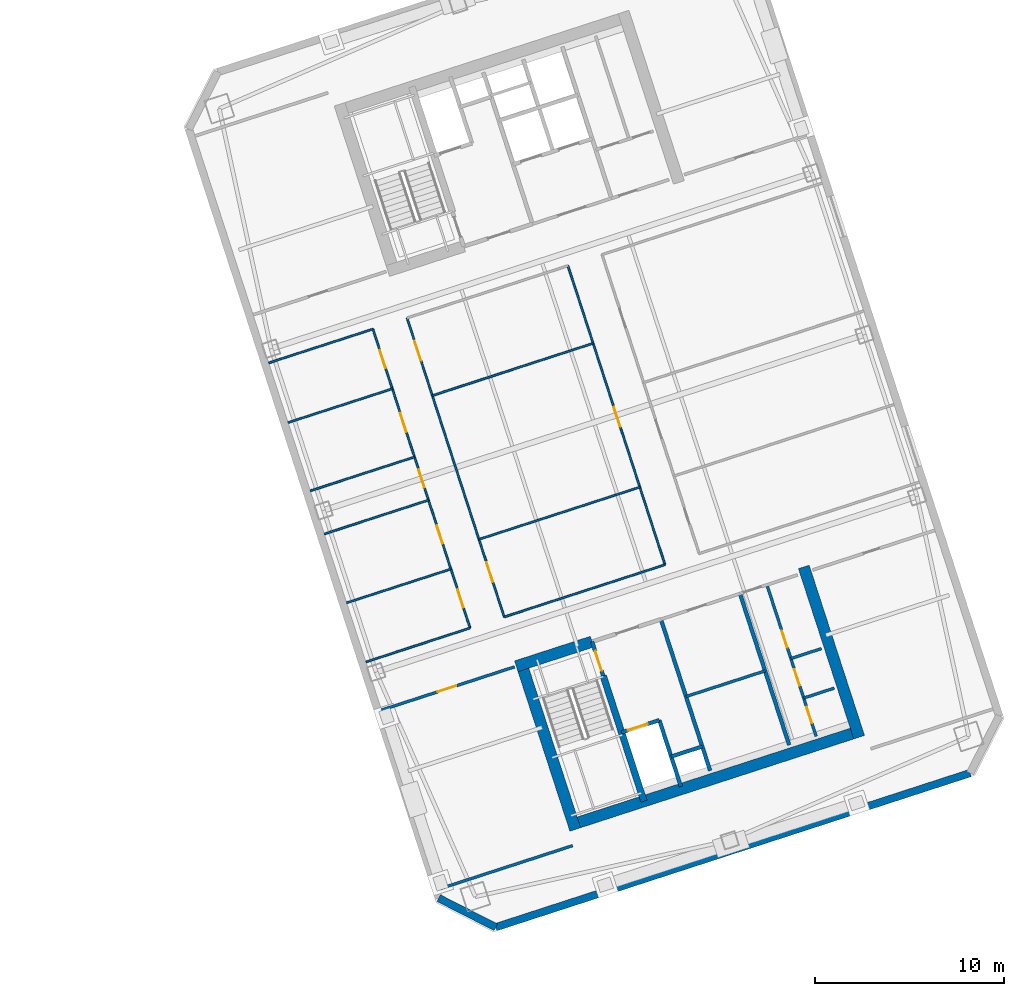
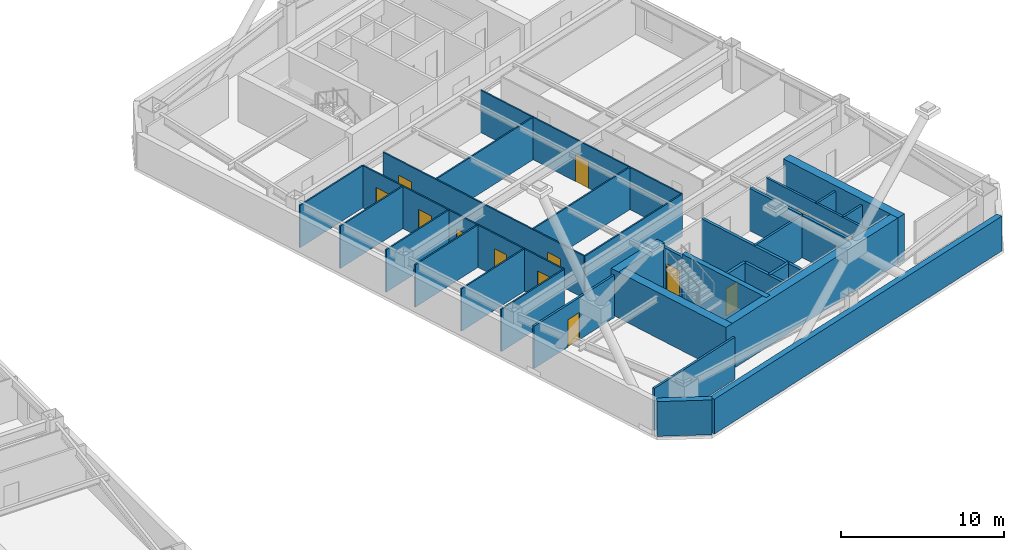
# One storey, part 9 of 14: 31 walls, 14 doors, 14 openings.
"""IFC4 building model written with IfcOpenShell, lengths in metres."""

from ifc_helpers import new_model, si_unit, direction, frame, frame_2d, origin, place, context, subcontext, project, spatial, rectangle, extrude, material, layer, layer_set, type_object, element, fill, save


model = new_model("IFC4")

# Units and contexts
model_context = context("Model", 3, precision=1e-05, world=origin(), true_north=direction((0.0, 1.0)))
body_context = subcontext(model_context, "Body", "Model", "MODEL_VIEW")
ifc_project = project(units=[si_unit("LENGTHUNIT", "METRE"), si_unit("AREAUNIT", "SQUARE_METRE"), si_unit("VOLUMEUNIT", "CUBIC_METRE"), si_unit("PLANEANGLEUNIT", "RADIAN"), si_unit("MASSUNIT", "GRAM", prefix="KILO")], contexts=[model_context])

# Site, building, storey
site_placement = place(None, origin())
site = spatial("IfcSite", under=ifc_project, at=site_placement, CompositionType="ELEMENT")
building_placement = place(site_placement, origin())
building = spatial("IfcBuilding", under=site, at=building_placement, Name="Qiaolan Cultural Towers", CompositionType="ELEMENT")
storey_placement = place(building_placement, frame((0.0, 0.0, 149.5)))
storey = spatial("IfcBuildingStorey", under=building, at=storey_placement, Name="L39", CompositionType="ELEMENT", Elevation=149.5)

# Walls
ifc_material_1 = material(Name="Concrete C50", Category="concrete")
ifc_layer_1 = layer(ifc_material_1, 0.35009765625)
ifc_layer_set_1 = layer_set([ifc_layer_1], Name="Concrete C50")
wall_type_1 = type_object("IfcWallType", Name="WL-CORE-350", PredefinedType="SHEAR", material=ifc_layer_set_1)
wall_1_placement = place(storey_placement, frame((90.486328125, 20.59423828125, 0.0), z_axis=(0.0, 0.0, 1.0), x_axis=(0.309020428229, -0.951055400562, 0.0)))
element("IfcWall", 1, at=wall_1_placement, inside=storey, type_object=wall_type_1, Name="L39 T2-CS Stair Core Dividing Web", PredefinedType="SHEAR", context=body_context, shape_type="SweptSolid", body=[
    extrude(rectangle(XDim=6.97998046875, YDim=0.35009765625, at=frame_2d((3.489990234375, 0.0))), origin(), (0.0, 0.0, 1.0), 3.449951171875),
])
ifc_material_2 = material(Name="Concrete C55", Category="concrete")
ifc_layer_2 = layer(ifc_material_2, 0.60009765625)
ifc_layer_set_2 = layer_set([ifc_layer_2], Name="Concrete C55")
wall_type_2 = type_object("IfcWallType", Name="WL-CORE-600", PredefinedType="SHEAR", material=ifc_layer_set_2)
wall_2_placement = place(storey_placement, frame((88.6298828125, 12.65185546875, 0.0), z_axis=(0.0, 0.0, 1.0), x_axis=(0.95105714907, 0.309015046886, 0.0)))
element("IfcWall", 2, at=wall_2_placement, inside=storey, type_object=wall_type_2, Name="L39 T2-CS Outer Core Shear Wall", PredefinedType="SHEAR", context=body_context, shape_type="SweptSolid", body=[
    extrude(rectangle(XDim=16.400146484375, YDim=0.60009765625, at=frame_2d((8.2001953125, 0.0))), origin(), (0.0, 0.0, 1.0), 3.449951171875),
])
wall_3_placement = place(storey_placement, frame((86.078369140625, 21.47509765625, 0.0), z_axis=(0.0, 0.0, 1.0), x_axis=(0.309017938678, -0.951056209472, 0.0)))
element("IfcWall", 3, at=wall_3_placement, inside=storey, type_object=wall_type_2, Name="L39 T2-CS West Core Shear Wall", PredefinedType="SHEAR", context=body_context, shape_type="SweptSolid", body=[
    extrude(rectangle(XDim=9.479736328125, YDim=0.60009765625, at=frame_2d((4.73974609375, 0.0))), origin(), (0.0, 0.0, 1.0), 3.449951171875),
])
wall_4_placement = place(storey_placement, frame((101.105224609375, 26.357666015625, 0.0), z_axis=(0.0, 0.0, 1.0), x_axis=(0.309010370028, -0.95105866865, 0.0)))
element("IfcWall", 4, at=wall_4_placement, inside=storey, type_object=wall_type_2, Name="L39 T2-CS East Core Shear Wall", PredefinedType="SHEAR", context=body_context, shape_type="SweptSolid", body=[
    extrude(rectangle(XDim=9.47998046875, YDim=0.60009765625, at=frame_2d((4.739990234375, 0.0))), origin(), (0.0, 0.0, 1.0), 3.449951171875),
])
wall_5_placement = place(storey_placement, frame((85.8857421875, 21.09716796875, 0.0), z_axis=(0.0, 0.0, 1.0), x_axis=(0.951068073652, 0.308981422225, 0.0)))
element("IfcWall", 5, at=wall_5_placement, inside=storey, type_object=wall_type_2, Name="L39 T2-CS Stair Front Shear Wall", PredefinedType="SHEAR", context=body_context, shape_type="SweptSolid", body=[
    extrude(rectangle(XDim=4.22021484375, YDim=0.60009765625, at=frame_2d((2.110107421875, 0.0))), origin(), (0.0, 0.0, 1.0), 3.449951171875),
])
ifc_material_3 = material(Name="Precast Concrete C50 Honed Stone Pier", Category="masonry")
ifc_layer_3 = layer(ifc_material_3, 0.39990234375)
ifc_layer_set_3 = layer_set([ifc_layer_3], Name="Precast Concrete C50 Honed Stone Pier")
wall_type_3 = type_object("IfcWallType", Name="WL-EXT-PIER-400", PredefinedType="SOLIDWALL", material=ifc_layer_set_3)
wall_6_placement = place(storey_placement, frame((109.908447265625, 15.44384765625, 0.0), z_axis=(0.0, 0.0, 1.0), x_axis=(-0.951057580055, -0.30901372044, 0.0)))
element("IfcWall", 6, at=wall_6_placement, inside=storey, type_object=wall_type_3, Name="L39 East Tower Precast Pier Facade Wall F7", PredefinedType="SOLIDWALL", context=body_context, shape_type="SweptSolid", body=[
    extrude(rectangle(XDim=26.39990234375, YDim=0.39990234375, at=frame_2d((13.199951171875, 0.0))), origin(), (0.0, 0.0, 1.0), 2.610107421875),
])
wall_7_placement = place(storey_placement, frame((84.800537109375, 7.285888671875, 0.0), z_axis=(0.0, 0.0, 1.0), x_axis=(-0.891020832027, 0.453962417932, 0.0)))
element("IfcWall", 7, at=wall_7_placement, inside=storey, type_object=wall_type_3, Name="L39 East Tower Precast Pier Facade Wall F8", PredefinedType="SOLIDWALL", context=body_context, shape_type="SweptSolid", body=[
    extrude(rectangle(XDim=3.39404296875, YDim=0.39990234375, at=frame_2d((1.697021484375, 0.0))), origin(), (0.0, 0.0, 1.0), 2.610107421875),
])

# Wall, opening, door
ifc_material_4 = material(Name="Concrete C35 Fire Wall", Category="concrete")
ifc_layer_4 = layer(ifc_material_4, 0.199951171875)
ifc_layer_set_4 = layer_set([ifc_layer_4], Name="Concrete C35 Fire Wall")
wall_type_4 = type_object("IfcWallType", Name="WL-FIRE-200", PredefinedType="PARTITIONING", material=ifc_layer_set_4)
wall_8_placement = place(storey_placement, frame((89.8994140625, 22.401123046875, 0.0), z_axis=(0.0, 0.0, 1.0), x_axis=(0.308932062672, -0.951084108086, 0.0)))
wall_8 = element("IfcWall", 8, at=wall_8_placement, inside=storey, type_object=wall_type_4, Name="L39 T2-CS Smokeproof Stair Entry Wall", PredefinedType="PARTITIONING", context=body_context, shape_type="SweptSolid", body=[
    extrude(rectangle(XDim=1.89990234375, YDim=0.199951171875, at=frame_2d((0.949951171875, 0.0))), origin(), (0.0, 0.0, 1.0), 3.175048828125),
])
opening_1_placement = place(wall_8_placement, frame((0.52001953125, 0.0, 0.0)))
opening_1 = element("IfcOpeningElement", 9, at=opening_1_placement, cuts=wall_8, Name="Opening FD-04", PredefinedType="OPENING", context=body_context, shape_type="SweptSolid", body=[
    extrude(rectangle(XDim=1.10009765625, YDim=2.050048828125, at=frame_2d((0.550048828125, 1.02490234375))), frame((0.0, 0.10986328125, 0.0), z_axis=(0.0, -1.0, 0.0), x_axis=(1.0, 0.0, 0.0)), (0.0, 0.0, 1.0), 0.219970703125),
])
ifc_material_5 = material(Name="Galvanized Steel Command Fire Door", Category="steel")
door_type_1 = type_object("IfcDoorType", Name="DR-FD90-1100", OperationType="NOTDEFINED", PredefinedType="DOOR", material=ifc_material_5)
door_1_placement = place(opening_1_placement, origin())
door_1 = element("IfcDoor", 10, at=door_1_placement, inside=storey, type_object=door_type_1, Name="L39 ST-E1 Smokeproof Stair Fire Door", OperationType="SINGLE_SWING_LEFT", OverallHeight=2.050048828125, OverallWidth=1.10009765625, PredefinedType="DOOR", context=body_context, shape_type="SweptSolid", body=[
    extrude(rectangle(XDim=1.10009765625, YDim=2.050048828125, at=frame_2d((0.550048828125, 1.02490234375))), frame((0.0, 0.02490234375, 0.0), z_axis=(0.0, -1.0, 0.0), x_axis=(1.0, 0.0, 0.0)), (0.0, 0.0, 1.0), 0.050048828125),
])
fill(opening_1, door_1)

# Wall
wall_9_placement = place(storey_placement, frame((93.541748046875, 23.584716796875, 0.0), z_axis=(0.0, 0.0, 1.0), x_axis=(0.309042196757, -0.951048327176, 0.0)))
element("IfcWall", 11, at=wall_9_placement, inside=storey, type_object=wall_type_4, Name="L39 T2-CS Firefighting Zone Wall", PredefinedType="PARTITIONING", context=body_context, shape_type="SweptSolid", body=[
    extrude(rectangle(XDim=8.429931640625, YDim=0.199951171875, at=frame_2d((4.21484375, 0.0))), origin(), (0.0, 0.0, 1.0), 3.175048828125),
])

# Wall, opening, door
wall_10_placement = place(storey_placement, frame((91.459716796875, 17.598388671875, 0.0), z_axis=(0.0, 0.0, 1.0), x_axis=(0.951062257173, 0.308999325213, 0.0)))
wall_10 = element("IfcWall", 12, at=wall_10_placement, inside=storey, type_object=wall_type_4, Name="L39 T2-CS Firefighting Shaft Front Wall", PredefinedType="PARTITIONING", context=body_context, shape_type="SweptSolid", body=[
    extrude(rectangle(XDim=2.10009765625, YDim=0.199951171875, at=frame_2d((1.050048828125, 0.0))), origin(), (0.0, 0.0, 1.0), 3.175048828125),
])
opening_2_placement = place(wall_10_placement, frame((0.35009765625, 0.0, 0.0)))
opening_2 = element("IfcOpeningElement", 13, at=opening_2_placement, cuts=wall_10, Name="Opening LD-01", PredefinedType="OPENING", context=body_context, shape_type="SweptSolid", body=[
    extrude(rectangle(XDim=1.10009765625, YDim=2.050048828125, at=frame_2d((0.550048828125, 1.02490234375))), frame((0.0, 0.10986328125, 0.0), z_axis=(0.0, -1.0, 0.0), x_axis=(1.0, 0.0, 0.0)), (0.0, 0.0, 1.0), 0.219970703125),
])
ifc_material_6 = material(Name="Brushed Stainless Steel S30408 Centre-Parting Lift Landing Door", Category="steel")
door_type_2 = type_object("IfcDoorType", Name="DR-LIFT-1100", OperationType="NOTDEFINED", PredefinedType="DOOR", material=ifc_material_6)
door_2_placement = place(opening_2_placement, origin())
door_2 = element("IfcDoor", 14, at=door_2_placement, inside=storey, type_object=door_type_2, Name="L39 FFL-E1 Firefighting Lift Landing Door", OperationType="DOUBLE_DOOR_SLIDING", OverallHeight=2.050048828125, OverallWidth=1.10009765625, PredefinedType="DOOR", context=body_context, shape_type="SweptSolid", body=[
    extrude(rectangle(XDim=1.10009765625, YDim=2.050048828125, at=frame_2d((0.550048828125, 1.02490234375))), frame((0.0, 0.02490234375, 0.0), z_axis=(0.0, -1.0, 0.0), x_axis=(1.0, 0.0, 0.0)), (0.0, 0.0, 1.0), 0.050048828125),
])
fill(opening_2, door_2)

# Walls
wall_11_placement = place(storey_placement, frame((93.45703125, 18.247314453125, 0.0), z_axis=(0.0, 0.0, 1.0), x_axis=(0.3089935693, -0.951064127245, 0.0)))
element("IfcWall", 15, at=wall_11_placement, inside=storey, type_object=wall_type_4, Name="L39 T2-CS Firefighting Hoistway East Wall", PredefinedType="PARTITIONING", context=body_context, shape_type="SweptSolid", body=[
    extrude(rectangle(XDim=3.7001953125, YDim=0.199951171875, at=frame_2d((1.85009765625, 0.0))), origin(), (0.0, 0.0, 1.0), 3.175048828125),
])
wall_12_placement = place(storey_placement, frame((94.08447265625, 16.316650390625, 0.0), z_axis=(0.0, 0.0, 1.0), x_axis=(0.951041328149, 0.309063734775, 0.0)))
element("IfcWall", 16, at=wall_12_placement, inside=storey, type_object=wall_type_4, Name="L39 T2-CS Pressurization Shaft Front Wall", PredefinedType="PARTITIONING", context=body_context, shape_type="SweptSolid", body=[
    extrude(rectangle(XDim=1.72998046875, YDim=0.199951171875, at=frame_2d((0.864990234375, 0.0))), origin(), (0.0, 0.0, 1.0), 3.175048828125),
])
wall_13_placement = place(storey_placement, frame((97.7265625, 24.9443359375, 0.0), z_axis=(0.0, 0.0, 1.0), x_axis=(0.309016001439, -0.951056838919, 0.0)))
element("IfcWall", 17, at=wall_13_placement, inside=storey, type_object=wall_type_4, Name="L39 T2-CS Lift Core East Wall", PredefinedType="PARTITIONING", context=body_context, shape_type="SweptSolid", body=[
    extrude(rectangle(XDim=8.429931640625, YDim=0.199951171875, at=frame_2d((4.21484375, 0.0))), origin(), (0.0, 0.0, 1.0), 3.175048828125),
])
ifc_material_7 = material(Name="Acoustic Double-Glazed Partition Frame", Category="glass")
ifc_layer_5 = layer(ifc_material_7, 0.10009765625)
ifc_layer_set_5 = layer_set([ifc_layer_5], Name="Acoustic Double-Glazed Partition Frame")
wall_type_5 = type_object("IfcWallType", Name="WL-GLAZED-100", PredefinedType="MOVABLE", material=ifc_layer_set_5)
wall_14_placement = place(storey_placement, frame((77.9248046875, 21.328369140625, 0.0), z_axis=(0.0, 0.0, 1.0), x_axis=(0.951059431056, 0.309008023519, 0.0)))
element("IfcWall", 18, at=wall_14_placement, inside=storey, type_object=wall_type_5, Name="L39 T2 Interior Wall", PredefinedType="MOVABLE", context=body_context, shape_type="SweptSolid", body=[
    extrude(rectangle(XDim=5.800048828125, YDim=0.10009765625, at=frame_2d((2.89990234375, 0.0))), origin(), (0.0, 0.0, 1.0), 3.175048828125),
])
wall_15_placement = place(storey_placement, frame((85.247802734375, 23.707763671875, 0.0), z_axis=(0.0, 0.0, 1.0), x_axis=(0.951059123431, 0.309008970321, 0.0)))
element("IfcWall", 19, at=wall_15_placement, inside=storey, type_object=wall_type_5, Name="L39 T2 Interior Wall", PredefinedType="MOVABLE", context=body_context, shape_type="SweptSolid", body=[
    extrude(rectangle(XDim=8.949951171875, YDim=0.10009765625, at=frame_2d((4.47509765625, 0.0))), origin(), (0.0, 0.0, 1.0), 3.175048828125),
])
wall_16_placement = place(storey_placement, frame((72.78271484375, 37.15380859375, 0.0), z_axis=(0.0, 0.0, 1.0), x_axis=(0.951047059821, 0.309046096893, 0.0)))
element("IfcWall", 20, at=wall_16_placement, inside=storey, type_object=wall_type_5, Name="L39 T2 Interior Wall", PredefinedType="MOVABLE", context=body_context, shape_type="SweptSolid", body=[
    extrude(rectangle(XDim=5.800048828125, YDim=0.10009765625, at=frame_2d((2.89990234375, 0.0))), origin(), (0.0, 0.0, 1.0), 3.175048828125),
])

# Wall, openings, doors
wall_17_placement = place(storey_placement, frame((83.44091796875, 23.12060546875, 0.0), z_axis=(0.0, 0.0, 1.0), x_axis=(-0.30901773025, 0.951056277195, 0.0)))
wall_17 = element("IfcWall", 21, at=wall_17_placement, inside=storey, type_object=wall_type_5, Name="L39 T2 Interior Wall", PredefinedType="MOVABLE", context=body_context, shape_type="SweptSolid", body=[
    extrude(rectangle(XDim=16.64013671875, YDim=0.10009765625, at=frame_2d((8.320068359375, 0.0))), origin(), (0.0, 0.0, 1.0), 3.175048828125),
])
opening_3_placement = place(wall_17_placement, frame((1.143310546875, 0.0, 0.0)))
opening_3 = element("IfcOpeningElement", 22, at=opening_3_placement, cuts=wall_17, Name="Opening ID-04", PredefinedType="OPENING", context=body_context, shape_type="SweptSolid", body=[
    extrude(rectangle(XDim=1.0, YDim=2.050048828125, at=frame_2d((0.5, 1.02490234375))), frame((0.0, 0.06005859375, 0.0), z_axis=(0.0, -1.0, 0.0), x_axis=(1.0, 0.0, 0.0)), (0.0, 0.0, 1.0), 0.1201171875),
])
opening_4_placement = place(wall_17_placement, frame((4.703369140625, 0.0, 0.0)))
opening_4 = element("IfcOpeningElement", 23, at=opening_4_placement, cuts=wall_17, Name="Opening ID-04", PredefinedType="OPENING", context=body_context, shape_type="SweptSolid", body=[
    extrude(rectangle(XDim=1.0, YDim=2.050048828125, at=frame_2d((0.5, 1.02490234375))), frame((0.0, 0.06005859375, 0.0), z_axis=(0.0, -1.0, 0.0), x_axis=(1.0, 0.0, 0.0)), (0.0, 0.0, 1.0), 0.1201171875),
])
opening_5_placement = place(wall_17_placement, frame((7.820068359375, 0.0, 0.0)))
opening_5 = element("IfcOpeningElement", 24, at=opening_5_placement, cuts=wall_17, Name="Opening ID-04", PredefinedType="OPENING", context=body_context, shape_type="SweptSolid", body=[
    extrude(rectangle(XDim=1.0, YDim=2.050048828125, at=frame_2d((0.5, 1.02490234375))), frame((0.0, 0.06005859375, 0.0), z_axis=(0.0, -1.0, 0.0), x_axis=(1.0, 0.0, 0.0)), (0.0, 0.0, 1.0), 0.1201171875),
])
opening_6_placement = place(wall_17_placement, frame((10.919921875, 0.0, 0.0)))
opening_6 = element("IfcOpeningElement", 25, at=opening_6_placement, cuts=wall_17, Name="Opening ID-07", PredefinedType="OPENING", context=body_context, shape_type="SweptSolid", body=[
    extrude(rectangle(XDim=1.050048828125, YDim=2.050048828125, at=frame_2d((0.52490234375, 1.02490234375))), frame((0.0, 0.06005859375, 0.0), z_axis=(0.0, -1.0, 0.0), x_axis=(1.0, 0.0, 0.0)), (0.0, 0.0, 1.0), 0.1201171875),
])
opening_7_placement = place(wall_17_placement, frame((14.47998046875, 0.0, 0.0)))
opening_7 = element("IfcOpeningElement", 26, at=opening_7_placement, cuts=wall_17, Name="Opening ID-04", PredefinedType="OPENING", context=body_context, shape_type="SweptSolid", body=[
    extrude(rectangle(XDim=1.0, YDim=2.050048828125, at=frame_2d((0.5, 1.02490234375))), frame((0.0, 0.06005859375, 0.0), z_axis=(0.0, -1.0, 0.0), x_axis=(1.0, 0.0, 0.0)), (0.0, 0.0, 1.0), 0.1201171875),
])
ifc_material_8 = material(Name="Oak Veneer Acoustic Office Door", Category="timber")
door_type_3 = type_object("IfcDoorType", Name="DR-INT-1000", OperationType="NOTDEFINED", PredefinedType="DOOR", material=ifc_material_8)
door_3_placement = place(opening_3_placement, origin())
door_3 = element("IfcDoor", 27, at=door_3_placement, inside=storey, type_object=door_type_3, Name="L39 T2 Civic Planning Office Door", OperationType="SINGLE_SWING_LEFT", OverallHeight=2.050048828125, OverallWidth=1.0, PredefinedType="DOOR", context=body_context, shape_type="SweptSolid", body=[
    extrude(rectangle(XDim=1.0, YDim=2.050048828125, at=frame_2d((0.5, 1.02490234375))), frame((0.0, 0.02490234375, 0.0), z_axis=(0.0, -1.0, 0.0), x_axis=(1.0, 0.0, 0.0)), (0.0, 0.0, 1.0), 0.050048828125),
])
fill(opening_3, door_3)
door_4_placement = place(opening_4_placement, origin())
door_4 = element("IfcDoor", 28, at=door_4_placement, inside=storey, type_object=door_type_3, Name="L39 T2 Civic Planning Office Door", OperationType="SINGLE_SWING_RIGHT", OverallHeight=2.050048828125, OverallWidth=1.0, PredefinedType="DOOR", context=body_context, shape_type="SweptSolid", body=[
    extrude(rectangle(XDim=1.0, YDim=2.050048828125, at=frame_2d((0.5, 1.02490234375))), frame((0.0, 0.02490234375, 0.0), z_axis=(0.0, -1.0, 0.0), x_axis=(1.0, 0.0, 0.0)), (0.0, 0.0, 1.0), 0.050048828125),
])
fill(opening_4, door_4)
door_5_placement = place(opening_5_placement, origin())
door_5 = element("IfcDoor", 29, at=door_5_placement, inside=storey, type_object=door_type_3, Name="L39 T2 Design Review Room Door", OperationType="SINGLE_SWING_LEFT", OverallHeight=2.050048828125, OverallWidth=1.0, PredefinedType="DOOR", context=body_context, shape_type="SweptSolid", body=[
    extrude(rectangle(XDim=1.0, YDim=2.050048828125, at=frame_2d((0.5, 1.02490234375))), frame((0.0, 0.02490234375, 0.0), z_axis=(0.0, -1.0, 0.0), x_axis=(1.0, 0.0, 0.0)), (0.0, 0.0, 1.0), 0.050048828125),
])
fill(opening_5, door_5)
door_6_placement = place(opening_7_placement, origin())
door_6 = element("IfcDoor", 30, at=door_6_placement, inside=storey, type_object=door_type_3, Name="L39 T2 Pantry Door", OperationType="SINGLE_SWING_LEFT", OverallHeight=2.050048828125, OverallWidth=1.0, PredefinedType="DOOR", context=body_context, shape_type="SweptSolid", body=[
    extrude(rectangle(XDim=1.0, YDim=2.050048828125, at=frame_2d((0.5, 1.02490234375))), frame((0.0, 0.02490234375, 0.0), z_axis=(0.0, -1.0, 0.0), x_axis=(1.0, 0.0, 0.0)), (0.0, 0.0, 1.0), 0.050048828125),
])
fill(opening_7, door_6)
ifc_material_9 = material(Name="Oak Veneer Consultation Door", Category="timber")
door_type_4 = type_object("IfcDoorType", Name="DR-INT-1050", OperationType="NOTDEFINED", PredefinedType="DOOR", material=ifc_material_9)
door_7_placement = place(opening_6_placement, origin())
door_7 = element("IfcDoor", 31, at=door_7_placement, inside=storey, type_object=door_type_4, Name="L39 T2 Design Review Room Door", OperationType="SINGLE_SWING_RIGHT", OverallHeight=2.050048828125, OverallWidth=1.050048828125, PredefinedType="DOOR", context=body_context, shape_type="SweptSolid", body=[
    extrude(rectangle(XDim=1.050048828125, YDim=2.050048828125, at=frame_2d((0.52490234375, 1.02490234375))), frame((0.0, 0.02490234375, 0.0), z_axis=(0.0, -1.0, 0.0), x_axis=(1.0, 0.0, 0.0)), (0.0, 0.0, 1.0), 0.050048828125),
])
fill(opening_6, door_7)

wall_18_placement = place(storey_placement, frame((85.247802734375, 23.707763671875, 0.0), z_axis=(0.0, 0.0, 1.0), x_axis=(-0.309004459387, 0.951060589068, 0.0)))
wall_18 = element("IfcWall", 32, at=wall_18_placement, inside=storey, type_object=wall_type_5, Name="L39 T2 Interior Wall", PredefinedType="MOVABLE", context=body_context, shape_type="SweptSolid", body=[
    extrude(rectangle(XDim=16.64013671875, YDim=0.10009765625, at=frame_2d((8.320068359375, 0.0))), origin(), (0.0, 0.0, 1.0), 3.175048828125),
])
opening_8_placement = place(wall_18_placement, frame((1.944091796875, 0.0, 0.0)))
opening_8 = element("IfcOpeningElement", 33, at=opening_8_placement, cuts=wall_18, Name="Opening ID-03", PredefinedType="OPENING", context=body_context, shape_type="SweptSolid", body=[
    extrude(rectangle(XDim=1.10009765625, YDim=2.050048828125, at=frame_2d((0.550048828125, 1.02490234375))), frame((0.0, 0.06005859375, 0.0), z_axis=(0.0, -1.0, 0.0), x_axis=(1.0, 0.0, 0.0)), (0.0, 0.0, 1.0), 0.1201171875),
])
opening_9_placement = place(wall_18_placement, frame((14.263916015625, 0.0, 0.0)))
opening_9 = element("IfcOpeningElement", 34, at=opening_9_placement, cuts=wall_18, Name="Opening ID-03", PredefinedType="OPENING", context=body_context, shape_type="SweptSolid", body=[
    extrude(rectangle(XDim=1.10009765625, YDim=2.050048828125, at=frame_2d((0.550048828125, 1.02490234375))), frame((0.0, 0.06005859375, 0.0), z_axis=(0.0, -1.0, 0.0), x_axis=(1.0, 0.0, 0.0)), (0.0, 0.0, 1.0), 0.1201171875),
])
ifc_material_10 = material(Name="Oak Veneer Solid-Core Boardroom Door", Category="timber")
door_type_5 = type_object("IfcDoorType", Name="DR-INT-1100", OperationType="NOTDEFINED", PredefinedType="DOOR", material=ifc_material_10)
door_8_placement = place(opening_8_placement, origin())
door_8 = element("IfcDoor", 35, at=door_8_placement, inside=storey, type_object=door_type_5, Name="L39 T2 Central Boardroom Door", OperationType="SINGLE_SWING_LEFT", OverallHeight=2.050048828125, OverallWidth=1.10009765625, PredefinedType="DOOR", context=body_context, shape_type="SweptSolid", body=[
    extrude(rectangle(XDim=1.10009765625, YDim=2.050048828125, at=frame_2d((0.550048828125, 1.02490234375))), frame((0.0, 0.02490234375, 0.0), z_axis=(0.0, -1.0, 0.0), x_axis=(1.0, 0.0, 0.0)), (0.0, 0.0, 1.0), 0.050048828125),
])
fill(opening_8, door_8)
door_9_placement = place(opening_9_placement, origin())
door_9 = element("IfcDoor", 36, at=door_9_placement, inside=storey, type_object=door_type_5, Name="L39 T2 Central Archive Room Door", OperationType="SINGLE_SWING_RIGHT", OverallHeight=2.050048828125, OverallWidth=1.10009765625, PredefinedType="DOOR", context=body_context, shape_type="SweptSolid", body=[
    extrude(rectangle(XDim=1.10009765625, YDim=2.050048828125, at=frame_2d((0.550048828125, 1.02490234375))), frame((0.0, 0.02490234375, 0.0), z_axis=(0.0, -1.0, 0.0), x_axis=(1.0, 0.0, 0.0)), (0.0, 0.0, 1.0), 0.050048828125),
])
fill(opening_9, door_9)

# Wall, opening, door
wall_19_placement = place(storey_placement, frame((93.759765625, 26.473388671875, 0.0), z_axis=(0.0, 0.0, 1.0), x_axis=(-0.309004459387, 0.951060589068, 0.0)))
wall_19 = element("IfcWall", 37, at=wall_19_placement, inside=storey, type_object=wall_type_5, Name="L39 T2 Interior Wall", PredefinedType="MOVABLE", context=body_context, shape_type="SweptSolid", body=[
    extrude(rectangle(XDim=16.64013671875, YDim=0.10009765625, at=frame_2d((8.320068359375, 0.0))), origin(), (0.0, 0.0, 1.0), 3.175048828125),
])
opening_10_placement = place(wall_19_placement, frame((7.679931640625, 0.0, 0.0)))
opening_10 = element("IfcOpeningElement", 38, at=opening_10_placement, cuts=wall_19, Name="Opening ID-03", PredefinedType="OPENING", context=body_context, shape_type="SweptSolid", body=[
    extrude(rectangle(XDim=1.10009765625, YDim=2.050048828125, at=frame_2d((0.550048828125, 1.02490234375))), frame((0.0, 0.06005859375, 0.0), z_axis=(0.0, -1.0, 0.0), x_axis=(1.0, 0.0, 0.0)), (0.0, 0.0, 1.0), 0.1201171875),
])
door_10_placement = place(opening_10_placement, origin())
door_10 = element("IfcDoor", 39, at=door_10_placement, inside=storey, type_object=door_type_5, Name="L39 T2 Central Study Salon Door", OperationType="SINGLE_SWING_LEFT", OverallHeight=2.050048828125, OverallWidth=1.10009765625, PredefinedType="DOOR", context=body_context, shape_type="SweptSolid", body=[
    extrude(rectangle(XDim=1.10009765625, YDim=2.050048828125, at=frame_2d((0.550048828125, 1.02490234375))), frame((0.0, 0.02490234375, 0.0), z_axis=(0.0, -1.0, 0.0), x_axis=(1.0, 0.0, 0.0)), (0.0, 0.0, 1.0), 0.050048828125),
])
fill(opening_10, door_10)

# Walls
wall_20_placement = place(storey_placement, frame((83.912841796875, 27.81640625, 0.0), z_axis=(0.0, 0.0, 1.0), x_axis=(0.951059123431, 0.309008970321, 0.0)))
element("IfcWall", 40, at=wall_20_placement, inside=storey, type_object=wall_type_5, Name="L39 T2 Interior Wall", PredefinedType="MOVABLE", context=body_context, shape_type="SweptSolid", body=[
    extrude(rectangle(XDim=8.949951171875, YDim=0.10009765625, at=frame_2d((4.47509765625, 0.0))), origin(), (0.0, 0.0, 1.0), 3.175048828125),
])
wall_21_placement = place(storey_placement, frame((81.44091796875, 35.4248046875, 0.0), z_axis=(0.0, 0.0, 1.0), x_axis=(0.951056518616, 0.309016987233, 0.0)))
element("IfcWall", 41, at=wall_21_placement, inside=storey, type_object=wall_type_5, Name="L39 T2 Interior Wall", PredefinedType="MOVABLE", context=body_context, shape_type="SweptSolid", body=[
    extrude(rectangle(XDim=8.94970703125, YDim=0.10009765625, at=frame_2d((4.474853515625, 0.0))), origin(), (0.0, 0.0, 1.0), 3.175048828125),
])
for number, where, z_axis, x_axis, name in (
    (42, (76.9091796875, 24.4541015625, 0.0), (0.0, 0.0, 1.0), (0.951059431056, 0.309008023519, 0.0), "L39 T2 Interior Wall"),
    (43, (75.724609375, 28.099853515625, 0.0), (0.0, 0.0, 1.0), (0.951059431056, 0.309008023519, 0.0), "L39 T2 Interior Wall"),
    (44, (74.98291015625, 30.38232421875, 0.0), (0.0, 0.0, 1.0), (0.951047059821, 0.309046096893, 0.0), "L39 T2 Interior Wall"),
    (45, (73.80859375, 33.996337890625, 0.0), (0.0, 0.0, 1.0), (0.951047059821, 0.309046096893, 0.0), "L39 T2 Interior Wall"),
):
    element("IfcWall", number, at=place(storey_placement, frame(where, z_axis=z_axis, x_axis=x_axis)), inside=storey, type_object=wall_type_5, Name=name, PredefinedType="MOVABLE", context=body_context, shape_type="SweptSolid", body=[
        extrude(rectangle(XDim=5.800048828125, YDim=0.10009765625, at=frame_2d((2.89990234375, 0.0))), origin(), (0.0, 0.0, 1.0), 3.175048828125),
    ])
ifc_material_11 = material(Name="Autoclaved Aerated Concrete Block B06", Category="concrete")
ifc_layer_6 = layer(ifc_material_11, 0.14990234375)
ifc_layer_set_6 = layer_set([ifc_layer_6], Name="Autoclaved Aerated Concrete Block B06")
wall_type_6 = type_object("IfcWallType", Name="WL-PART-150", PredefinedType="PARTITIONING", material=ifc_layer_set_6)
wall_22_placement = place(storey_placement, frame((94.87060546875, 19.4951171875, 0.0), z_axis=(0.0, 0.0, 1.0), x_axis=(0.951042223598, 0.309060979314, 0.0)))
element("IfcWall", 46, at=wall_22_placement, inside=storey, type_object=wall_type_6, Name="L39 T2-CS Reclaimed Room Subdivider", PredefinedType="PARTITIONING", context=body_context, shape_type="SweptSolid", body=[
    extrude(rectangle(XDim=4.39990234375, YDim=0.14990234375, at=frame_2d((2.199951171875, 0.0))), origin(), (0.0, 0.0, 1.0), 3.175048828125),
])

# Wall, openings, doors
wall_23_placement = place(storey_placement, frame((99.153076171875, 25.407958984375, 0.0), z_axis=(0.0, 0.0, 1.0), x_axis=(0.309016001439, -0.951056838919, 0.0)))
wall_23 = element("IfcWall", 47, at=wall_23_placement, inside=storey, type_object=wall_type_6, Name="L39 T2-CS Sanitary Vestibule Wall", PredefinedType="PARTITIONING", context=body_context, shape_type="SweptSolid", body=[
    extrude(rectangle(XDim=8.429931640625, YDim=0.14990234375, at=frame_2d((4.21484375, 0.0))), origin(), (0.0, 0.0, 1.0), 3.175048828125),
])
opening_11_placement = place(wall_23_placement, frame((2.550048828125, 0.0, 0.0)))
opening_11 = element("IfcOpeningElement", 48, at=opening_11_placement, cuts=wall_23, Name="Opening ID-05", PredefinedType="OPENING", context=body_context, shape_type="SweptSolid", body=[
    extrude(rectangle(XDim=0.949951171875, YDim=2.050048828125, at=frame_2d((0.47509765625, 1.02490234375))), frame((0.0, 0.0849609375, 0.0), z_axis=(0.0, -1.0, 0.0), x_axis=(1.0, 0.0, 0.0)), (0.0, 0.0, 1.0), 0.169921875),
])
opening_12_placement = place(wall_23_placement, frame((4.699951171875, 0.0, 0.0)))
opening_12 = element("IfcOpeningElement", 49, at=opening_12_placement, cuts=wall_23, Name="Opening ID-06", PredefinedType="OPENING", context=body_context, shape_type="SweptSolid", body=[
    extrude(rectangle(XDim=0.89990234375, YDim=2.050048828125, at=frame_2d((0.449951171875, 1.02490234375))), frame((0.0, 0.0849609375, 0.0), z_axis=(0.0, -1.0, 0.0), x_axis=(1.0, 0.0, 0.0)), (0.0, 0.0, 1.0), 0.169921875),
])
opening_13_placement = place(wall_23_placement, frame((6.800048828125, 0.0, 0.0)))
opening_13 = element("IfcOpeningElement", 50, at=opening_13_placement, cuts=wall_23, Name="Opening ID-06", PredefinedType="OPENING", context=body_context, shape_type="SweptSolid", body=[
    extrude(rectangle(XDim=0.89990234375, YDim=2.050048828125, at=frame_2d((0.449951171875, 1.02490234375))), frame((0.0, 0.0849609375, 0.0), z_axis=(0.0, -1.0, 0.0), x_axis=(1.0, 0.0, 0.0)), (0.0, 0.0, 1.0), 0.169921875),
])
ifc_material_12 = material(Name="Fire-Rated Laminate Core Service Door", Category="timber")
door_type_6 = type_object("IfcDoorType", Name="DR-INT-900", OperationType="NOTDEFINED", PredefinedType="DOOR", material=ifc_material_12)
door_11_placement = place(opening_12_placement, origin())
door_11 = element("IfcDoor", 51, at=door_11_placement, inside=storey, type_object=door_type_6, Name="L39 Men Washroom Door", OperationType="SINGLE_SWING_LEFT", OverallHeight=2.050048828125, OverallWidth=0.89990234375, PredefinedType="DOOR", context=body_context, shape_type="SweptSolid", body=[
    extrude(rectangle(XDim=0.89990234375, YDim=2.050048828125, at=frame_2d((0.449951171875, 1.02490234375))), frame((0.0, 0.02490234375, 0.0), z_axis=(0.0, -1.0, 0.0), x_axis=(1.0, 0.0, 0.0)), (0.0, 0.0, 1.0), 0.050048828125),
])
fill(opening_12, door_11)
door_12_placement = place(opening_13_placement, origin())
door_12 = element("IfcDoor", 52, at=door_12_placement, inside=storey, type_object=door_type_6, Name="L39 Women Washroom Door", OperationType="SINGLE_SWING_RIGHT", OverallHeight=2.050048828125, OverallWidth=0.89990234375, PredefinedType="DOOR", context=body_context, shape_type="SweptSolid", body=[
    extrude(rectangle(XDim=0.89990234375, YDim=2.050048828125, at=frame_2d((0.449951171875, 1.02490234375))), frame((0.0, 0.02490234375, 0.0), z_axis=(0.0, -1.0, 0.0), x_axis=(1.0, 0.0, 0.0)), (0.0, 0.0, 1.0), 0.050048828125),
])
fill(opening_13, door_12)
ifc_material_13 = material(Name="Fire-Rated Laminate Accessible Core Door", Category="timber")
door_type_7 = type_object("IfcDoorType", Name="DR-INT-950", OperationType="NOTDEFINED", PredefinedType="DOOR", material=ifc_material_13)
door_13_placement = place(opening_11_placement, origin())
door_13 = element("IfcDoor", 53, at=door_13_placement, inside=storey, type_object=door_type_7, Name="L39 Accessible Family Washroom Door", OperationType="SINGLE_SWING_LEFT", OverallHeight=2.050048828125, OverallWidth=0.949951171875, PredefinedType="DOOR", context=body_context, shape_type="SweptSolid", body=[
    extrude(rectangle(XDim=0.949951171875, YDim=2.050048828125, at=frame_2d((0.47509765625, 1.02490234375))), frame((0.0, 0.02490234375, 0.0), z_axis=(0.0, -1.0, 0.0), x_axis=(1.0, 0.0, 0.0)), (0.0, 0.0, 1.0), 0.050048828125),
])
fill(opening_11, door_13)

# Walls
wall_24_placement = place(storey_placement, frame((100.420166015625, 21.508544921875, 0.0), z_axis=(0.0, 0.0, 1.0), x_axis=(0.951040401051, 0.309066587596, 0.0)))
element("IfcWall", 54, at=wall_24_placement, inside=storey, type_object=wall_type_6, Name="L39 T2-CS Restroom Split Wall 1", PredefinedType="PARTITIONING", context=body_context, shape_type="SweptSolid", body=[
    extrude(rectangle(XDim=1.699951171875, YDim=0.14990234375, at=frame_2d((0.85009765625, 0.0))), origin(), (0.0, 0.0, 1.0), 3.175048828125),
])
wall_25_placement = place(storey_placement, frame((101.099853515625, 19.416259765625, 0.0), z_axis=(0.0, 0.0, 1.0), x_axis=(0.951054116971, 0.309024378638, 0.0)))
element("IfcWall", 55, at=wall_25_placement, inside=storey, type_object=wall_type_6, Name="L39 T2-CS Restroom Split Wall 2", PredefinedType="PARTITIONING", context=body_context, shape_type="SweptSolid", body=[
    extrude(rectangle(XDim=1.7001953125, YDim=0.14990234375, at=frame_2d((0.85009765625, 0.0))), origin(), (0.0, 0.0, 1.0), 3.175048828125),
])
wall_26_placement = place(storey_placement, frame((81.82763671875, 9.31640625, 0.0), z_axis=(0.0, 0.0, 1.0), x_axis=(0.95105128112, 0.309033106124, 0.0)))
element("IfcWall", 56, at=wall_26_placement, inside=storey, type_object=wall_type_6, Name="L39 T2 Flank Wall FLK-SW", PredefinedType="PARTITIONING", context=body_context, shape_type="SweptSolid", body=[
    extrude(rectangle(XDim=7.400146484375, YDim=0.14990234375, at=frame_2d((3.7001953125, 0.0))), origin(), (0.0, 0.0, 1.0), 3.175048828125),
])

# Wall, opening, door
wall_27_placement = place(storey_placement, frame((78.7529296875, 18.779541015625, 0.0), z_axis=(0.0, 0.0, 1.0), x_axis=(0.951060977215, 0.309003264738, 0.0)))
wall_27 = element("IfcWall", 57, at=wall_27_placement, inside=storey, type_object=wall_type_6, Name="L39 T2 Flank Front FLK-SW", PredefinedType="PARTITIONING", context=body_context, shape_type="SweptSolid", body=[
    extrude(rectangle(XDim=7.39990234375, YDim=0.14990234375, at=frame_2d((3.699951171875, 0.0))), origin(), (0.0, 0.0, 1.0), 3.175048828125),
])
opening_14_placement = place(wall_27_placement, frame((3.10791015625, 0.0, 0.0)))
opening_14 = element("IfcOpeningElement", 58, at=opening_14_placement, cuts=wall_27, Name="Opening ID-07", PredefinedType="OPENING", context=body_context, shape_type="SweptSolid", body=[
    extrude(rectangle(XDim=1.050048828125, YDim=2.050048828125, at=frame_2d((0.52490234375, 1.02490234375))), frame((0.0, 0.0849609375, 0.0), z_axis=(0.0, -1.0, 0.0), x_axis=(1.0, 0.0, 0.0)), (0.0, 0.0, 1.0), 0.169921875),
])
door_14_placement = place(opening_14_placement, origin())
door_14 = element("IfcDoor", 59, at=door_14_placement, inside=storey, type_object=door_type_4, Name="L39 T2 Corner Studio Door", OperationType="SINGLE_SWING_LEFT", OverallHeight=2.050048828125, OverallWidth=1.050048828125, PredefinedType="DOOR", context=body_context, shape_type="SweptSolid", body=[
    extrude(rectangle(XDim=1.050048828125, YDim=2.050048828125, at=frame_2d((0.52490234375, 1.02490234375))), frame((0.0, 0.02490234375, 0.0), z_axis=(0.0, -1.0, 0.0), x_axis=(1.0, 0.0, 0.0)), (0.0, 0.0, 1.0), 0.050048828125),
])
fill(opening_14, door_14)

save(model, "model.ifc")
